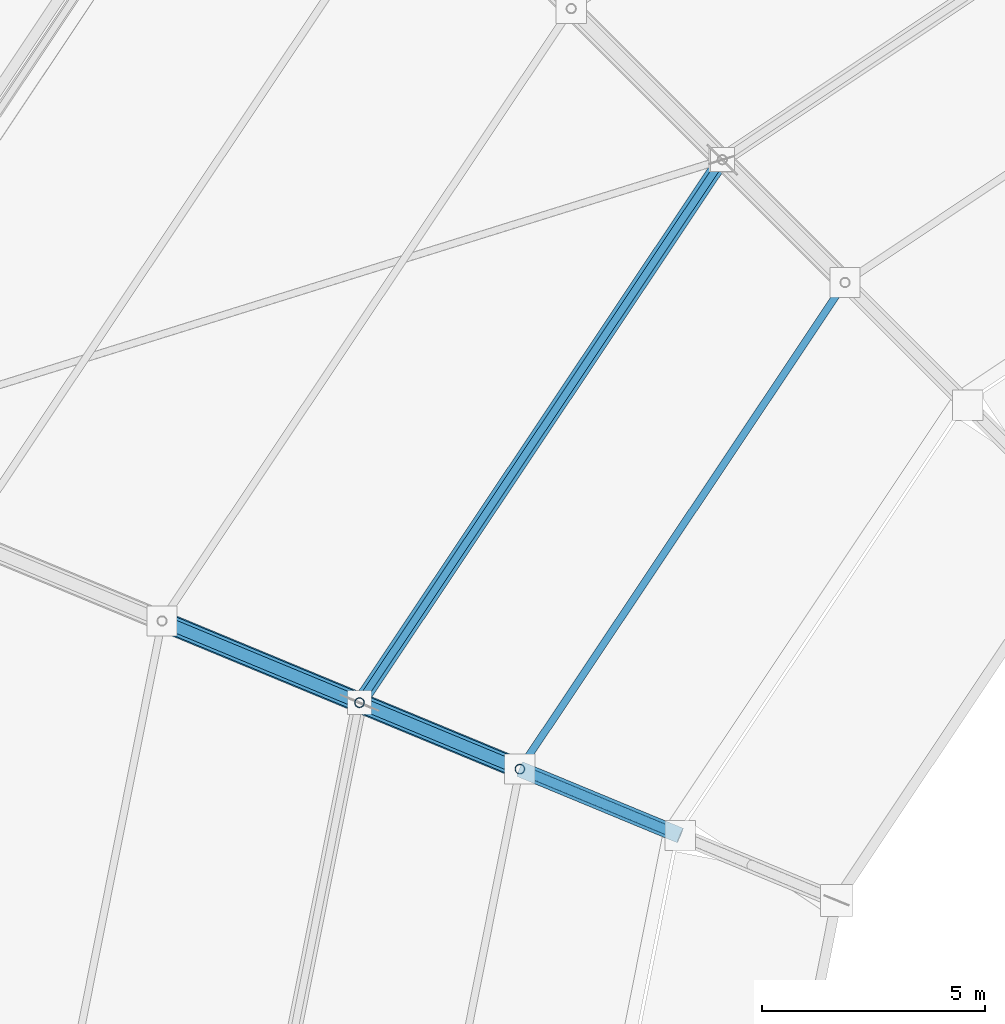
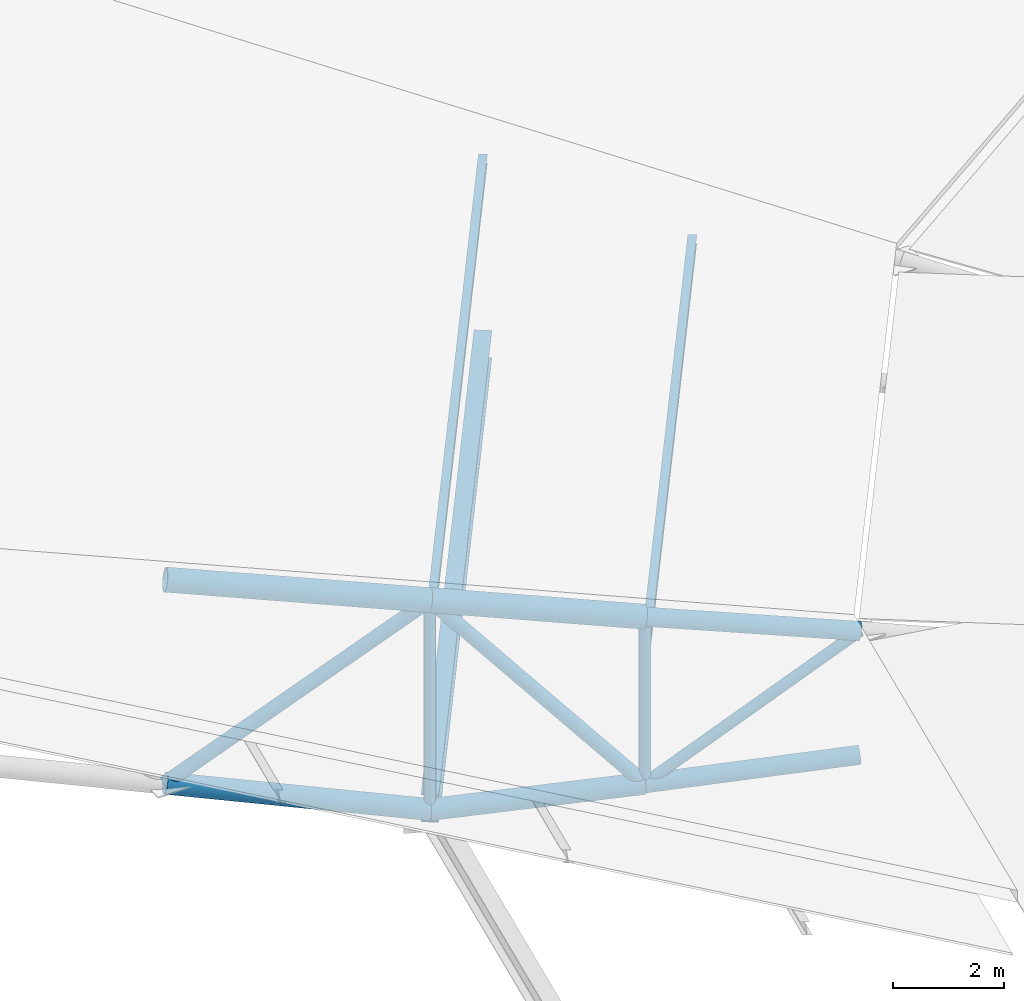
# One storey, part 47 of 146: 13 members, 1 beam.
"""IFC4 building model written with IfcOpenShell, lengths in metres."""

from ifc_helpers import new_model, si_unit, direction, frame, origin, origin_2d, place, context, subcontext, project, spatial, hollow_circle, i_section, extrude, material, material_profile, profile_set, type_object, element, save


model = new_model("IFC4")

# Units and contexts
model_context = context("Model", 3, precision=1e-05, world=origin(), true_north=direction((0.0, 1.0)))
body_context = subcontext(model_context, "Body", "Model", "MODEL_VIEW")
ifc_project = project(units=[si_unit("LENGTHUNIT", "METRE"), si_unit("AREAUNIT", "SQUARE_METRE"), si_unit("VOLUMEUNIT", "CUBIC_METRE"), si_unit("PLANEANGLEUNIT", "RADIAN"), si_unit("MASSUNIT", "GRAM", prefix="KILO")], contexts=[model_context])

# Site, building, storey
site_placement = place(None, origin())
site = spatial("IfcSite", under=ifc_project, at=site_placement, CompositionType="ELEMENT")
building_placement = place(site_placement, origin())
building = spatial("IfcBuilding", under=site, at=building_placement, Name="Candeia Ridge Stadium", CompositionType="ELEMENT")
storey_placement = place(building_placement, frame((0.0, 0.0, 31.800048828125)))
storey = spatial("IfcBuildingStorey", under=building, at=storey_placement, Name="RF", CompositionType="ELEMENT", Elevation=31.800048828125)

# Beam
ifc_material = material(Name="Steel ASTM A572 Grade 50", Category="steel")
ifc_material_profile_1 = material_profile(ifc_material, i_section(OverallWidth=0.324951171875, OverallDepth=0.615966796875, WebThickness=0.013916015625, FlangeThickness=0.021484375, FilletRadius=0.014892578125, at=origin_2d()), Name="W610x174", Category="steel")
ifc_profile_set_1 = profile_set([ifc_material_profile_1], Name="Steel ASTM A572 Grade 50")
beam_type = type_object("IfcBeamType", Name="Roof Compression Ring Beam W610x174", PredefinedType="BEAM", material=ifc_profile_set_1)
beam_placement = place(storey_placement, frame((44.390625, 121.553955078125, -2.6640625), z_axis=(-0.555568695933, -0.831470639349, 0.0), x_axis=(0.831470639349, -0.555568695933, 0.0)))
element("IfcBeam", 1, at=beam_placement, inside=storey, type_object=beam_type, Name="Roof compression ring beam bay 10", PredefinedType="BEAM", context=body_context, shape_type="SweptSolid", body=[
    extrude(i_section(OverallWidth=0.324951171875, OverallDepth=0.615966796875, WebThickness=0.013916015625, FlangeThickness=0.021484375, FilletRadius=0.014892578125, at=origin_2d()), origin(), (0.0, 0.0, 1.0), 14.5908203125),
])

# Members
ifc_material_profile_2 = material_profile(ifc_material, i_section(OverallWidth=0.1650390625, OverallDepth=0.200927734375, WebThickness=0.006103515625, FlangeThickness=0.01025390625, FilletRadius=0.010009765625, at=origin_2d()), Name="W200x35.9", Category="steel")
ifc_profile_set_2 = profile_set([ifc_material_profile_2], Name="Steel ASTM A572 Grade 50")
member_type_1 = type_object("IfcMemberType", Name="Roof Purlin W200x35.9", PredefinedType="PURLIN", material=ifc_profile_set_2)
member_1_placement = place(storey_placement, frame((47.142822265625, 118.787841796875, 0.3544921875), z_axis=(-0.555576353042, -0.831465523002, 0.0), x_axis=(0.831465523002, -0.555576353042, 0.0)))
element("IfcMember", 2, at=member_1_placement, inside=storey, type_object=member_type_1, Name="Saddle roof steel purlin bay 10-1", PredefinedType="PURLIN", context=body_context, shape_type="SweptSolid", body=[
    extrude(i_section(OverallWidth=0.1650390625, OverallDepth=0.200927734375, WebThickness=0.006103515625, FlangeThickness=0.01025390625, FilletRadius=0.010009765625, at=origin_2d()), origin(), (0.0, 0.0, 1.0), 13.049072265625),
])
member_2_placement = place(storey_placement, frame((44.385009765625, 121.545654296875, 1.416015625), z_axis=(-0.555573746016, -0.831467264983, 0.0), x_axis=(0.831467264983, -0.555573746016, 0.0)))
element("IfcMember", 3, at=member_2_placement, inside=storey, type_object=member_type_1, Name="Saddle roof steel purlin bay 10-2", PredefinedType="PURLIN", context=body_context, shape_type="SweptSolid", body=[
    extrude(i_section(OverallWidth=0.1650390625, OverallDepth=0.200927734375, WebThickness=0.006103515625, FlangeThickness=0.01025390625, FilletRadius=0.010009765625, at=origin_2d()), origin(), (0.0, 0.0, 1.0), 14.57080078125),
])
ifc_material_profile_3 = material_profile(ifc_material, hollow_circle(Radius=0.136474609375, WallThickness=0.010009765625, at=origin_2d()), Name="CHS273x10", Category="steel")
ifc_profile_set_3 = profile_set([ifc_material_profile_3], Name="Steel ASTM A572 Grade 50")
member_type_2 = type_object("IfcMemberType", Name="Roof Truss Heavy Web Brace CHS273x10", PredefinedType="BRACE", material=ifc_profile_set_3)
member_3_placement = place(storey_placement, frame((39.865234375, 107.896484375, -2.444091796875), z_axis=(-0.61435865685, 0.254477196729, 0.746863305498), x_axis=(-0.382685369162, -0.923878730261, 0.0)))
element("IfcMember", 4, at=member_3_placement, inside=storey, type_object=member_type_2, Name="Roof cantilever truss RT-11 diagonal web 3", PredefinedType="BRACE", context=body_context, shape_type="SweptSolid", body=[
    extrude(hollow_circle(Radius=0.136474609375, WallThickness=0.010009765625, at=origin_2d()), origin(), (0.0, 0.0, 1.0), 5.86474609375),
])
member_4_placement = place(storey_placement, frame((36.26220703125, 109.388916015625, 1.93603515625), z_axis=(-0.740679890153, 0.306791934683, -0.597722351211), x_axis=(-0.382675211785, -0.923882937544, 0.0)))
element("IfcMember", 5, at=member_4_placement, inside=storey, type_object=member_type_2, Name="Roof cantilever truss RT-11 diagonal web 4", PredefinedType="BRACE", context=body_context, shape_type="SweptSolid", body=[
    extrude(hollow_circle(Radius=0.136474609375, WallThickness=0.010009765625, at=origin_2d()), origin(), (0.0, 0.0, 1.0), 5.987548828125),
])
ifc_material_profile_4 = material_profile(ifc_material, hollow_circle(Radius=0.109619140625, WallThickness=0.010009765625, at=origin_2d()), Name="CHS219x10", Category="steel")
ifc_profile_set_4 = profile_set([ifc_material_profile_4], Name="Steel ASTM A572 Grade 50")
member_type_3 = type_object("IfcMemberType", Name="Roof Truss Inner Web Brace CHS219x10", PredefinedType="BRACE", material=ifc_profile_set_4)
member_5_placement = place(storey_placement, frame((43.468505859375, 106.404052734375, 0.54296875), z_axis=(-0.73347834193, 0.303797893097, -0.608043059388), x_axis=(-0.382663237128, -0.923887897394, 0.0)))
element("IfcMember", 6, at=member_5_placement, inside=storey, type_object=member_type_3, Name="Roof cantilever truss RT-11 diagonal web 2", PredefinedType="BRACE", context=body_context, shape_type="SweptSolid", body=[
    extrude(hollow_circle(Radius=0.109619140625, WallThickness=0.010009765625, at=origin_2d()), origin(), (0.0, 0.0, 1.0), 4.91259765625),
])
member_6_placement = place(storey_placement, frame((39.865234375, 107.896484375, -2.444091796875), z_axis=(0.0, 0.0, 1.0), x_axis=(1.0, 0.0, 0.0)))
element("IfcMember", 7, at=member_6_placement, inside=storey, type_object=member_type_3, Name="Roof cantilever truss RT-11 vertical post 2", PredefinedType="BRACE", context=body_context, shape_type="SweptSolid", body=[
    extrude(hollow_circle(Radius=0.109619140625, WallThickness=0.010009765625, at=origin_2d()), origin(), (0.0, 0.0, 1.0), 3.658447265625),
])
member_7_placement = place(storey_placement, frame((36.26220703125, 109.388916015625, -2.6640625), z_axis=(0.0, 0.0, 1.0), x_axis=(1.0, 0.0, 0.0)))
element("IfcMember", 8, at=member_7_placement, inside=storey, type_object=member_type_3, Name="Roof cantilever truss RT-11 vertical post 3", PredefinedType="BRACE", context=body_context, shape_type="SweptSolid", body=[
    extrude(hollow_circle(Radius=0.109619140625, WallThickness=0.010009765625, at=origin_2d()), origin(), (0.0, 0.0, 1.0), 4.60009765625),
])
ifc_material_profile_5 = material_profile(ifc_material, hollow_circle(Radius=0.228515625, WallThickness=0.02001953125, at=origin_2d()), Name="CHS457x20", Category="steel")
ifc_profile_set_5 = profile_set([ifc_material_profile_5], Name="Steel ASTM A572 Grade 50")
member_type_4 = type_object("IfcMemberType", Name="Roof Truss Main Chord CHS457x20", PredefinedType="CHORD", material=ifc_profile_set_5)
member_8_placement = place(storey_placement, frame((39.865234375, 107.896484375, 1.21435546875), z_axis=(-0.908455116829, 0.376296661416, 0.181961873245), x_axis=(-0.382685369162, -0.923878730261, 0.0)))
element("IfcMember", 9, at=member_8_placement, inside=storey, type_object=member_type_4, Name="Roof cantilever truss RT-11 top chord 3", PredefinedType="CHORD", context=body_context, shape_type="SweptSolid", body=[
    extrude(hollow_circle(Radius=0.228515625, WallThickness=0.02001953125, at=origin_2d()), origin(), (0.0, 0.0, 1.0), 3.966064453125),
])
member_9_placement = place(storey_placement, frame((36.26220703125, 109.388916015625, 1.93603515625), z_axis=(-0.908470819314, 0.376291464053, 0.181894212488), x_axis=(-0.382675211785, -0.923882937544, 0.0)))
element("IfcMember", 10, at=member_9_placement, inside=storey, type_object=member_type_4, Name="Roof cantilever truss RT-11 top chord 4", PredefinedType="CHORD", context=body_context, shape_type="SweptSolid", body=[
    extrude(hollow_circle(Radius=0.228515625, WallThickness=0.02001953125, at=origin_2d()), origin(), (0.0, 0.0, 1.0), 4.881591796875),
])
ifc_material_profile_6 = material_profile(ifc_material, hollow_circle(Radius=0.202880859375, WallThickness=0.01611328125, at=origin_2d()), Name="CHS406x16", Category="steel")
ifc_profile_set_6 = profile_set([ifc_material_profile_6], Name="Steel ASTM A572 Grade 50")
member_type_5 = type_object("IfcMemberType", Name="Roof Truss Outer Chord CHS406x16", PredefinedType="CHORD", material=ifc_profile_set_6)
member_10_placement = place(storey_placement, frame((39.865234375, 107.896484375, -2.444091796875), z_axis=(-0.922412592682, 0.382078071491, -0.056314795095), x_axis=(-0.382685369162, -0.923878730261, 0.0)))
element("IfcMember", 11, at=member_10_placement, inside=storey, type_object=member_type_5, Name="Roof cantilever truss RT-11 bottom chord 3", PredefinedType="CHORD", context=body_context, shape_type="SweptSolid", body=[
    extrude(hollow_circle(Radius=0.202880859375, WallThickness=0.01611328125, at=origin_2d()), origin(), (0.0, 0.0, 1.0), 3.906005859375),
])
member_11_placement = place(storey_placement, frame((36.26220703125, 109.388916015625, -2.6640625), z_axis=(-0.903658328422, 0.374298115224, 0.208092639019), x_axis=(-0.382675211785, -0.923882937544, 0.0)))
element("IfcMember", 12, at=member_11_placement, inside=storey, type_object=member_type_5, Name="Roof cantilever truss RT-11 bottom chord 4", PredefinedType="CHORD", context=body_context, shape_type="SweptSolid", body=[
    extrude(hollow_circle(Radius=0.202880859375, WallThickness=0.01611328125, at=origin_2d()), origin(), (0.0, 0.0, 1.0), 4.90771484375),
])
ifc_material_profile_7 = material_profile(ifc_material, hollow_circle(Radius=0.177734375, WallThickness=0.01416015625, at=origin_2d()), Name="CHS355x14", Category="steel")
ifc_profile_set_7 = profile_set([ifc_material_profile_7], Name="Steel ASTM A572 Grade 50")
member_type_6 = type_object("IfcMemberType", Name="Roof Truss Tip Chord CHS355x14", PredefinedType="CHORD", material=ifc_profile_set_7)
member_12_placement = place(storey_placement, frame((43.468505859375, 106.404052734375, 0.54296875), z_axis=(-0.91049558306, 0.377116301866, 0.169649898599), x_axis=(-0.382663237128, -0.923887897394, 0.0)))
element("IfcMember", 13, at=member_12_placement, inside=storey, type_object=member_type_6, Name="Roof cantilever truss RT-11 top chord 2", PredefinedType="CHORD", context=body_context, shape_type="SweptSolid", body=[
    extrude(hollow_circle(Radius=0.177734375, WallThickness=0.01416015625, at=origin_2d()), origin(), (0.0, 0.0, 1.0), 3.95751953125),
])
member_13_placement = place(storey_placement, frame((43.468505859375, 106.404052734375, -2.17431640625), z_axis=(-0.921685561894, 0.381751056295, -0.069006202717), x_axis=(-0.382663237128, -0.923887897394, 0.0)))
element("IfcMember", 14, at=member_13_placement, inside=storey, type_object=member_type_6, Name="Roof cantilever truss RT-11 bottom chord 2", PredefinedType="CHORD", context=body_context, shape_type="SweptSolid", body=[
    extrude(hollow_circle(Radius=0.177734375, WallThickness=0.01416015625, at=origin_2d()), origin(), (0.0, 0.0, 1.0), 3.909423828125),
])

save(model, "model.ifc")
